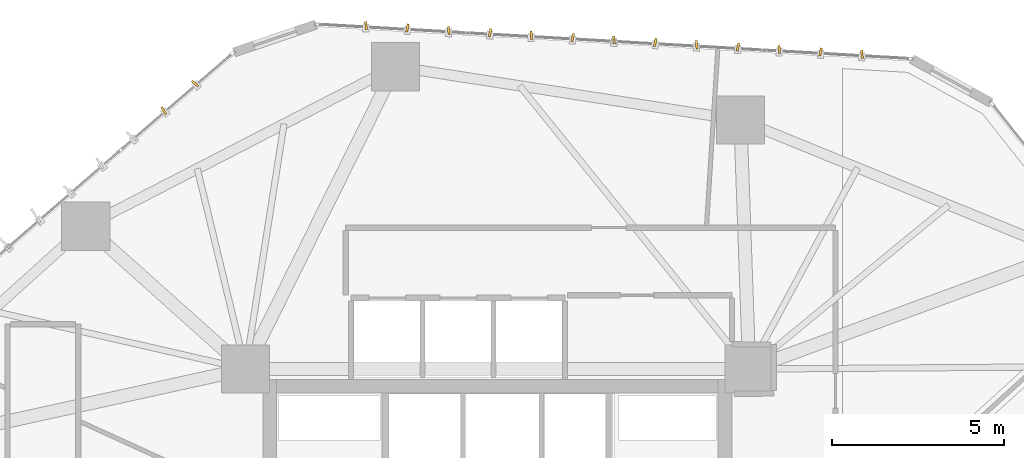
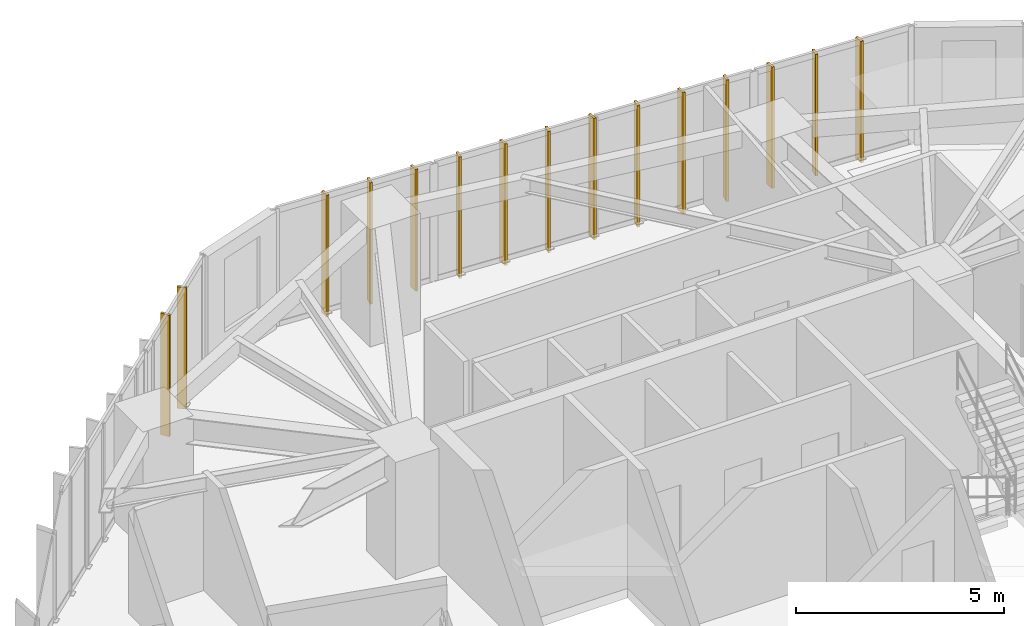
# One storey, part 24 of 24: 15 shading devices.
"""IFC4 building model written with IfcOpenShell, lengths in metres."""

from ifc_helpers import new_model, si_unit, direction, frame, origin, origin_2d, place, context, subcontext, project, spatial, rectangle, extrude, source, transform, mapped, material, layer, layer_set, type_object, type_shapes, element, save


model = new_model("IFC4")

# Units and contexts
model_context = context("Model", 3, precision=1e-05, world=origin(), true_north=direction((0.0, 1.0)))
body_context = subcontext(model_context, "Body", "Model", "MODEL_VIEW")
ifc_project = project(units=[si_unit("LENGTHUNIT", "METRE"), si_unit("AREAUNIT", "SQUARE_METRE"), si_unit("VOLUMEUNIT", "CUBIC_METRE"), si_unit("PLANEANGLEUNIT", "RADIAN"), si_unit("MASSUNIT", "GRAM", prefix="KILO")], contexts=[model_context])

# Site, building, storey
site_placement = place(None, origin())
site = spatial("IfcSite", under=ifc_project, at=site_placement, CompositionType="ELEMENT")
building_placement = place(site_placement, origin())
building = spatial("IfcBuilding", under=site, at=building_placement, Name="Talar Marvaseh", CompositionType="ELEMENT")
storey_placement = place(building_placement, frame((0.0, 0.0, 81.0)))
storey = spatial("IfcBuildingStorey", under=building, at=storey_placement, Name="L20", CompositionType="ELEMENT", Elevation=81.0)

# Shading devices
ifc_material = material(Name="Anodised Champagne Bronze Aluminium", Category="aluminium")
ifc_layer = layer(ifc_material, 0.06494140625)
ifc_layer_set = layer_set([ifc_layer], Name="Anodised Champagne Bronze Aluminium")
shading_device_type = type_object("IfcShadingDeviceType", Name="Sawtooth Champagne Bronze Vertical Fin 240", PredefinedType="USERDEFINED", material=ifc_layer_set)
shared_shape = source(origin(), body_context, "Body", "SweptSolid", [
    extrude(rectangle(XDim=0.239990234375, YDim=0.06494140625, at=origin_2d()), origin(), (0.0, 0.0, 1.0), 3.570068359375),
])
type_shapes(shading_device_type, [shared_shape])
for number, where, z_axis, x_axis, name in (
    (1, (16.328857421875, 44.38916015625, -0.1201171875), (0.0, 0.0, 1.0), (-0.54200159037, 0.840377460452, 0.0), "L20 Sawtooth Vertical Solar Fin"),
    (2, (17.237060546875, 45.173583984375, -0.1201171875), (0.0, 0.0, 1.0), (-0.752644789048, 0.658426777644, 0.0), "L20 Sawtooth Vertical Solar Fin"),
    (3, (22.193115234375, 46.85595703125, -0.1201171875), (0.0, 0.0, 1.0), (-0.081590611568, 0.996665928034, 0.0), "L20 Sawtooth Vertical Solar Fin"),
    (4, (23.39111328125, 46.78662109375, -0.1201171875), (0.0, 0.0, 1.0), (0.196288431388, 0.980546200698, 0.0), "L20 Sawtooth Vertical Solar Fin"),
    (5, (24.589111328125, 46.717041015625, -0.1201171875), (0.0, 0.0, 1.0), (-0.081590611568, 0.996665928034, 0.0), "L20 Sawtooth Vertical Solar Fin"),
    (6, (25.787109375, 46.647705078125, -0.1201171875), (0.0, 0.0, 1.0), (0.196288431388, 0.980546200698, 0.0), "L20 Sawtooth Vertical Solar Fin"),
    (7, (26.985107421875, 46.578125, -0.1201171875), (0.0, 0.0, 1.0), (-0.081590611568, 0.996665928034, 0.0), "L20 Sawtooth Vertical Solar Fin"),
    (8, (28.18310546875, 46.5087890625, -0.1201171875), (0.0, 0.0, 1.0), (0.196288431388, 0.980546200698, 0.0), "L20 Sawtooth Vertical Solar Fin"),
    (9, (29.381103515625, 46.439208984375, -0.1201171875), (0.0, 0.0, 1.0), (-0.081590611568, 0.996665928034, 0.0), "L20 Sawtooth Vertical Solar Fin"),
    (10, (30.5791015625, 46.369873046875, -0.1201171875), (0.0, 0.0, 1.0), (0.196288431388, 0.980546200698, 0.0), "L20 Sawtooth Vertical Solar Fin"),
    (11, (31.777099609375, 46.30029296875, -0.1201171875), (0.0, 0.0, 1.0), (-0.081590611568, 0.996665928034, 0.0), "L20 Sawtooth Vertical Solar Fin"),
    (12, (32.97509765625, 46.23095703125, -0.1201171875), (0.0, 0.0, 1.0), (0.196288431388, 0.980546200698, 0.0), "L20 Sawtooth Vertical Solar Fin"),
    (13, (34.173095703125, 46.161376953125, -0.1201171875), (0.0, 0.0, 1.0), (-0.081590611568, 0.996665928034, 0.0), "L20 Sawtooth Vertical Solar Fin"),
    (14, (35.37109375, 46.092041015625, -0.1201171875), (0.0, 0.0, 1.0), (0.196288431388, 0.980546200698, 0.0), "L20 Sawtooth Vertical Solar Fin"),
    (15, (36.569091796875, 46.0224609375, -0.1201171875), (0.0, 0.0, 1.0), (-0.081590611568, 0.996665928034, 0.0), "L20 Sawtooth Vertical Solar Fin"),
):
    element("IfcShadingDevice", number, at=place(storey_placement, frame(where, z_axis=z_axis, x_axis=x_axis)), inside=storey, type_object=shading_device_type, Name=name, ObjectType="FIN", PredefinedType="USERDEFINED", context=body_context, shape_type="MappedRepresentation", body=[
        mapped(shared_shape, transform((0.0, 0.0, 0.0), x_axis=(1.0, 0.0, 0.0), y_axis=(0.0, 1.0, 0.0), z_axis=(0.0, 0.0, 1.0), scale=1.0)),
    ])

save(model, "model.ifc")
